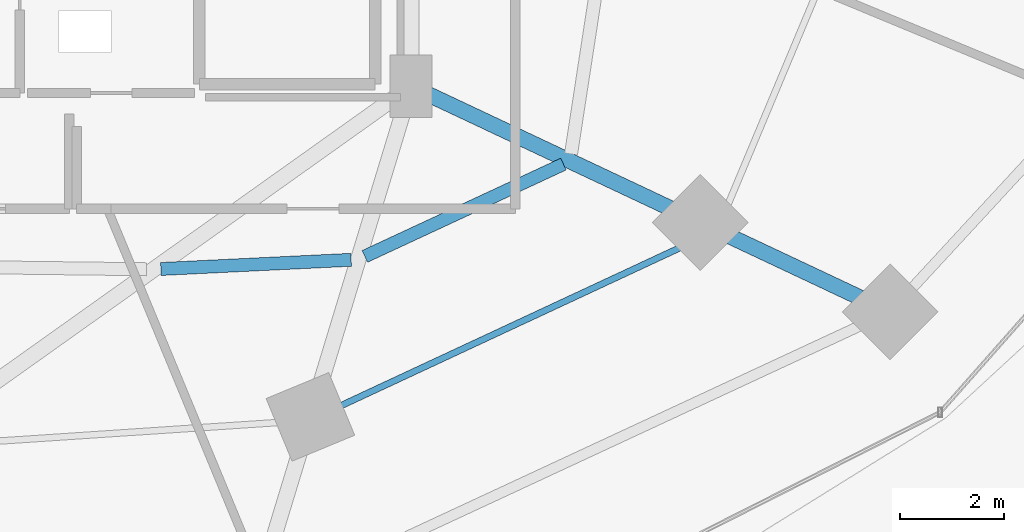
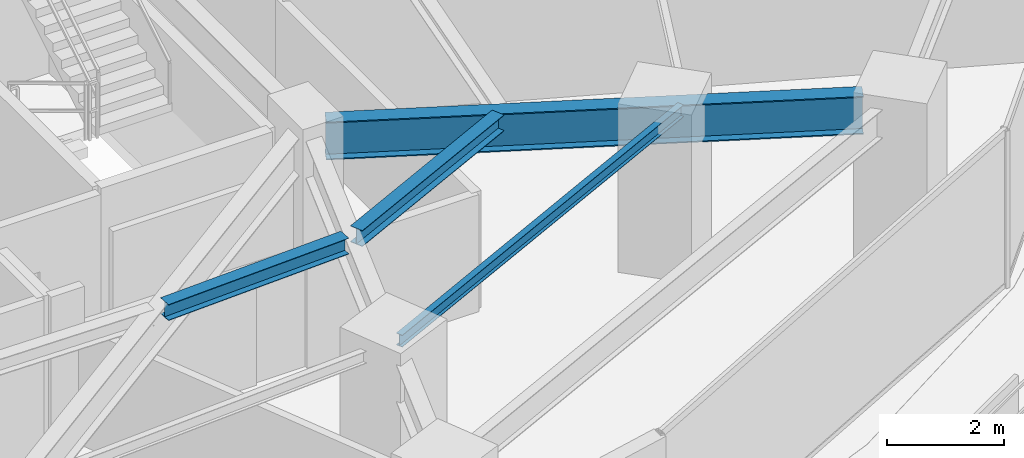
# One storey, part 13 of 35: 4 beams.
"""IFC4 building model written with IfcOpenShell, lengths in metres."""

from ifc_helpers import new_model, si_unit, direction, frame, origin, origin_2d, place, context, subcontext, project, spatial, i_section, extrude, material, material_profile, profile_set, type_object, element, save


model = new_model("IFC4")

# Units and contexts
model_context = context("Model", 3, precision=1e-05, world=origin(), true_north=direction((0.0, 1.0)))
body_context = subcontext(model_context, "Body", "Model", "MODEL_VIEW")
ifc_project = project(units=[si_unit("LENGTHUNIT", "METRE"), si_unit("AREAUNIT", "SQUARE_METRE"), si_unit("VOLUMEUNIT", "CUBIC_METRE"), si_unit("PLANEANGLEUNIT", "RADIAN"), si_unit("MASSUNIT", "GRAM", prefix="KILO")], contexts=[model_context])

# Site, building, storey
site_placement = place(None, origin())
site = spatial("IfcSite", under=ifc_project, at=site_placement, CompositionType="ELEMENT")
building_placement = place(site_placement, origin())
building = spatial("IfcBuilding", under=site, at=building_placement, Name="Vorneva Point Tower", CompositionType="ELEMENT")
storey_placement = place(building_placement, frame((0.0, 0.0, 45.0)))
storey = spatial("IfcBuildingStorey", under=building, at=storey_placement, Name="L11", CompositionType="ELEMENT", Elevation=45.0)

# Beams
ifc_material = material(Name="Steel S355", Category="steel")
ifc_material_profile_1 = material_profile(ifc_material, i_section(OverallWidth=0.300048828125, OverallDepth=0.7880859375, WebThickness=0.014404296875, FlangeThickness=0.02197265625, at=origin_2d()), Name="80Sh1")
ifc_profile_set_1 = profile_set([ifc_material_profile_1], Name="Steel S355")
beam_type_1 = type_object("IfcBeamType", Name="BM-GRD-80Sh1", PredefinedType="USERDEFINED", material=ifc_profile_set_1)
beam_1_placement = place(storey_placement, frame((57.361572265625, 12.39599609375, 2.845947265625), z_axis=(-0.904758409006, 0.425925135831, 0.0), x_axis=(-0.425925135831, -0.904758409006, 0.0)))
element("IfcBeam", 1, at=beam_1_placement, inside=storey, type_object=beam_type_1, Name="L11 Radial Primary Girder 15", ObjectType="GIRDER", PredefinedType="USERDEFINED", context=body_context, shape_type="SweptSolid", body=[
    extrude(i_section(OverallWidth=0.300048828125, OverallDepth=0.7880859375, WebThickness=0.014404296875, FlangeThickness=0.02197265625, at=origin_2d()), origin(), (0.0, 0.0, 1.0), 9.177978515625),
])
ifc_material_profile_2 = material_profile(ifc_material, i_section(OverallWidth=0.1240234375, OverallDepth=0.248046875, WebThickness=0.0048828125, FlangeThickness=0.008056640625, at=origin_2d()), Name="25B1")
ifc_profile_set_2 = profile_set([ifc_material_profile_2], Name="Steel S355")
beam_type_2 = type_object("IfcBeamType", Name="BM-JST-25B1", PredefinedType="JOIST", material=ifc_profile_set_2)
beam_2_placement = place(storey_placement, frame((46.92529296875, 10.10009765625, 3.115966796875), z_axis=(0.90643314629, 0.422349323791, 0.0), x_axis=(-0.422349323791, 0.90643314629, 0.0)))
element("IfcBeam", 2, at=beam_2_placement, inside=storey, type_object=beam_type_2, Name="L11 Secondary Floor Beam 1.14", PredefinedType="JOIST", context=body_context, shape_type="SweptSolid", body=[
    extrude(i_section(OverallWidth=0.1240234375, OverallDepth=0.248046875, WebThickness=0.0048828125, FlangeThickness=0.008056640625, at=origin_2d()), origin(), (0.0, 0.0, 1.0), 8.352294921875),
])
ifc_material_profile_3 = material_profile(ifc_material, i_section(OverallWidth=0.2490234375, OverallDepth=0.333984375, WebThickness=0.008056640625, FlangeThickness=0.010986328125, at=origin_2d()), Name="35Sh1")
ifc_profile_set_3 = profile_set([ifc_material_profile_3], Name="Steel S355")
beam_type_3 = type_object("IfcBeamType", Name="BM-SEC-35Sh1", PredefinedType="BEAM", material=ifc_profile_set_3)
beam_3_placement = place(storey_placement, frame((43.95361328125, 12.9453125, 3.072998046875), z_axis=(0.998831396082, 0.048330551423, 0.0), x_axis=(-0.048330551423, 0.998831396082, 0.0)))
element("IfcBeam", 3, at=beam_3_placement, inside=storey, type_object=beam_type_3, Name="L11 Secondary Floor Beam 2.13", PredefinedType="BEAM", context=body_context, shape_type="SweptSolid", body=[
    extrude(i_section(OverallWidth=0.2490234375, OverallDepth=0.333984375, WebThickness=0.008056640625, FlangeThickness=0.010986328125, at=origin_2d()), origin(), (0.0, 0.0, 1.0), 3.652099609375),
])
beam_4_placement = place(storey_placement, frame((47.864501953125, 13.186767578125, 3.072998046875), z_axis=(0.906807431122, 0.421545113673, 0.0), x_axis=(-0.421545113673, 0.906807431122, 0.0)))
element("IfcBeam", 4, at=beam_4_placement, inside=storey, type_object=beam_type_3, Name="L11 Secondary Floor Beam 2.14", PredefinedType="BEAM", context=body_context, shape_type="SweptSolid", body=[
    extrude(i_section(OverallWidth=0.2490234375, OverallDepth=0.333984375, WebThickness=0.008056640625, FlangeThickness=0.010986328125, at=origin_2d()), origin(), (0.0, 0.0, 1.0), 4.199462890625),
])

save(model, "model.ifc")
